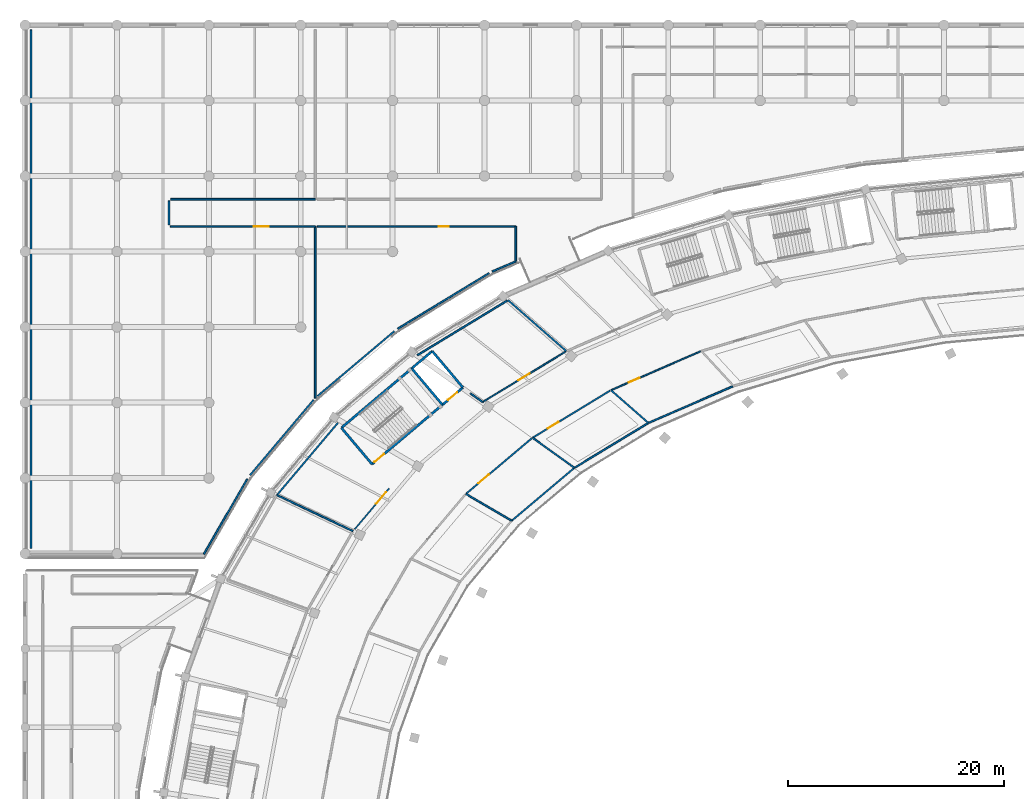
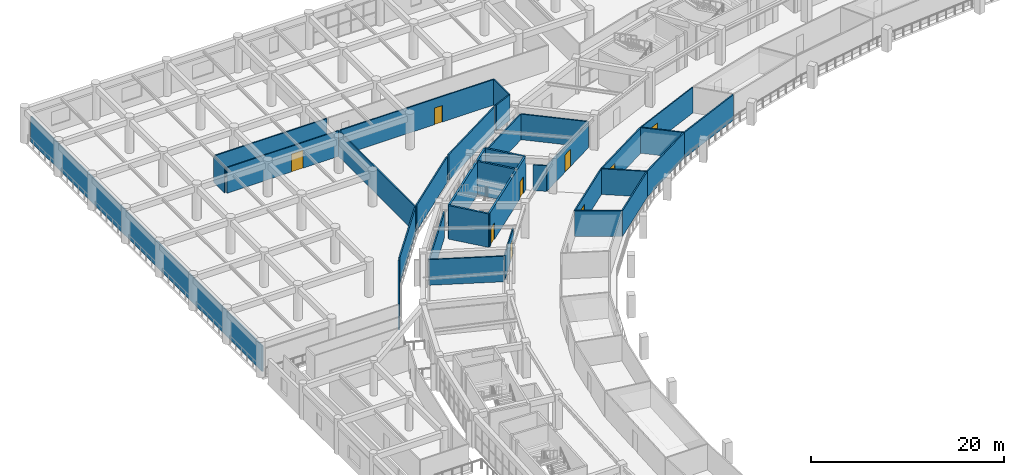
# One storey, part 103 of 141: 33 walls, 9 doors, 9 openings.
"""IFC4 building model written with IfcOpenShell, lengths in metres."""

from ifc_helpers import new_model, si_unit, direction, frame, frame_2d, origin, place, context, subcontext, project, spatial, rectangle, extrude, material, layer, layer_set, type_object, element, fill, save


model = new_model("IFC4")

# Units and contexts
model_context = context("Model", 3, precision=1e-05, world=origin(), true_north=direction((0.0, 1.0)))
body_context = subcontext(model_context, "Body", "Model", "MODEL_VIEW")
ifc_project = project(units=[si_unit("LENGTHUNIT", "METRE"), si_unit("AREAUNIT", "SQUARE_METRE"), si_unit("VOLUMEUNIT", "CUBIC_METRE"), si_unit("PLANEANGLEUNIT", "RADIAN"), si_unit("MASSUNIT", "GRAM", prefix="KILO")], contexts=[model_context])

# Site, building, storey
site_placement = place(None, origin())
site = spatial("IfcSite", under=ifc_project, at=site_placement, CompositionType="ELEMENT")
building_placement = place(site_placement, origin())
building = spatial("IfcBuilding", under=site, at=building_placement, Name="Mphavela Belvedere Stadium", CompositionType="ELEMENT")
storey_placement = place(building_placement, frame((0.0, 0.0, 14.699951171875)))
storey = spatial("IfcBuildingStorey", under=building, at=storey_placement, Name="L03", CompositionType="ELEMENT", Elevation=14.699951171875)

# Walls
ifc_material_1 = material(Name="Concrete C40/50", Category="concrete")
ifc_layer_1 = layer(ifc_material_1, 0.219970703125)
ifc_layer_set_1 = layer_set([ifc_layer_1], Name="Concrete C40/50")
wall_type_1 = type_object("IfcWallType", Name="WAL-CORE-SHEAR-220", PredefinedType="SHEAR", material=ifc_layer_set_1)
wall_1_placement = place(storey_placement, frame((29.318603515625, 136.666015625, 0.0), z_axis=(0.0, 0.0, 1.0), x_axis=(0.764247804305, 0.644922703598, 0.0)))
element("IfcWall", 1, at=wall_1_placement, inside=storey, type_object=wall_type_1, Name="Core C05 shear wall L03 rear", PredefinedType="SHEAR", context=body_context, shape_type="SweptSolid", body=[
    extrude(rectangle(XDim=11.019775390625, YDim=0.219970703125, at=frame_2d((5.509765625, 0.0))), origin(), (0.0, 0.0, 1.0), 4.25),
])
wall_2_placement = place(storey_placement, frame((32.16259765625, 133.295654296875, 0.0), z_axis=(0.0, 0.0, 1.0), x_axis=(-0.644904288042, 0.764263344185, 0.0)))
element("IfcWall", 2, at=wall_2_placement, inside=storey, type_object=wall_type_1, Name="Core C05 shear wall L03 left", PredefinedType="SHEAR", context=body_context, shape_type="SweptSolid", body=[
    extrude(rectangle(XDim=4.409912109375, YDim=0.219970703125, at=frame_2d((2.205078125, 0.0))), origin(), (0.0, 0.0, 1.0), 4.25),
])
wall_3_placement = place(storey_placement, frame((40.584716796875, 140.402587890625, 0.0), z_axis=(0.0, 0.0, 1.0), x_axis=(-0.644936622785, 0.764236058159, 0.0)))
element("IfcWall", 3, at=wall_3_placement, inside=storey, type_object=wall_type_1, Name="Core C05 shear wall L03 right", PredefinedType="SHEAR", context=body_context, shape_type="SweptSolid", body=[
    extrude(rectangle(XDim=4.41015625, YDim=0.219970703125, at=frame_2d((2.205078125, 0.0))), origin(), (0.0, 0.0, 1.0), 4.25),
])

# Wall, openings, doors
wall_4_placement = place(storey_placement, frame((32.16259765625, 133.295654296875, 0.0), z_axis=(0.0, 0.0, 1.0), x_axis=(0.764257018762, 0.644911784102, 0.0)))
wall_4 = element("IfcWall", 4, at=wall_4_placement, inside=storey, type_object=wall_type_1, Name="Core C05 shear wall L03 front", PredefinedType="SHEAR", context=body_context, shape_type="SweptSolid", body=[
    extrude(rectangle(XDim=11.02001953125, YDim=0.219970703125, at=frame_2d((5.510009765625, 0.0))), origin(), (0.0, 0.0, 1.0), 4.25),
])
opening_1_placement = place(wall_4_placement, frame((0.300048828125, 0.0, 0.0)))
opening_1 = element("IfcOpeningElement", 5, at=opening_1_placement, cuts=wall_4, Name="Opening SD-024", PredefinedType="OPENING", context=body_context, shape_type="SweptSolid", body=[
    extrude(rectangle(XDim=1.14990234375, YDim=2.14990234375, at=frame_2d((0.574951171875, 1.074951171875))), frame((0.0, 0.1201171875, 0.0), z_axis=(0.0, -1.0, 0.0), x_axis=(1.0, 0.0, 0.0)), (0.0, 0.0, 1.0), 0.239990234375),
])
opening_2_placement = place(wall_4_placement, frame((9.22998046875, 0.0, 0.0)))
opening_2 = element("IfcOpeningElement", 6, at=opening_2_placement, cuts=wall_4, Name="Opening LD-024", PredefinedType="OPENING", context=body_context, shape_type="SweptSolid", body=[
    extrude(rectangle(XDim=1.10009765625, YDim=2.14990234375, at=frame_2d((0.550048828125, 1.074951171875))), frame((0.0, 0.1201171875, 0.0), z_axis=(0.0, -1.0, 0.0), x_axis=(1.0, 0.0, 0.0)), (0.0, 0.0, 1.0), 0.239990234375),
])
ifc_material_2 = material(Name="Stainless steel center-parting lift landing door", Category="steel")
door_type_1 = type_object("IfcDoorType", Name="DR-LIFT-SLIDE-1100", OperationType="NOTDEFINED", PredefinedType="DOOR", material=ifc_material_2)
door_1_placement = place(opening_2_placement, origin())
door_1 = element("IfcDoor", 7, at=door_1_placement, inside=storey, type_object=door_type_1, Name="Lift landing sliding door PL02 L03", OperationType="DOUBLE_DOOR_SLIDING", OverallHeight=2.14990234375, OverallWidth=1.10009765625, PredefinedType="DOOR", context=body_context, shape_type="SweptSolid", body=[
    extrude(rectangle(XDim=1.10009765625, YDim=2.14990234375, at=frame_2d((0.550048828125, 1.074951171875))), frame((0.0, 0.02490234375, 0.0), z_axis=(0.0, -1.0, 0.0), x_axis=(1.0, 0.0, 0.0)), (0.0, 0.0, 1.0), 0.050048828125),
])
fill(opening_2, door_1)
ifc_material_3 = material(Name="Steel acoustic fire-resisting stair doorset", Category="steel")
door_type_2 = type_object("IfcDoorType", Name="DR-STAIR-FIRE-1150", OperationType="NOTDEFINED", PredefinedType="DOOR", material=ifc_material_3)
door_2_placement = place(opening_1_placement, origin())
door_2 = element("IfcDoor", 8, at=door_2_placement, inside=storey, type_object=door_type_2, Name="Escape stair fire door C05 L03", OperationType="SINGLE_SWING_RIGHT", OverallHeight=2.14990234375, OverallWidth=1.14990234375, PredefinedType="DOOR", context=body_context, shape_type="SweptSolid", body=[
    extrude(rectangle(XDim=1.14990234375, YDim=2.14990234375, at=frame_2d((0.574951171875, 1.074951171875))), frame((0.0, 0.02490234375, 0.0), z_axis=(0.0, -1.0, 0.0), x_axis=(1.0, 0.0, 0.0)), (0.0, 0.0, 1.0), 0.050048828125),
])
fill(opening_1, door_2)

# Wall
wall_5_placement = place(storey_placement, frame((38.689208984375, 138.80322265625, 0.0), z_axis=(0.0, 0.0, 1.0), x_axis=(-0.644904288042, 0.764263344185, 0.0)))
element("IfcWall", 9, at=wall_5_placement, inside=storey, type_object=wall_type_1, Name="Core C05 shear wall L03 div", PredefinedType="SHEAR", context=body_context, shape_type="SweptSolid", body=[
    extrude(rectangle(XDim=4.409912109375, YDim=0.219970703125, at=frame_2d((2.205078125, 0.0))), origin(), (0.0, 0.0, 1.0), 4.25),
])

# Wall, opening, door
ifc_material_4 = material(Name="Moisture-resistant sanitary partition assembly")
ifc_layer_2 = layer(ifc_material_4, 0.125)
ifc_layer_set_2 = layer_set([ifc_layer_2], Name="Moisture-resistant sanitary partition assembly")
wall_type_2 = type_object("IfcWallType", Name="WAL-PART-125", PredefinedType="PARTITIONING", material=ifc_layer_set_2)
wall_6_placement = place(storey_placement, frame((54.315185546875, 140.15380859375, 0.0), z_axis=(0.0, 0.0, 1.0), x_axis=(0.917494590455, 0.397748257677, 0.0)))
wall_6 = element("IfcWall", 10, at=wall_6_placement, inside=storey, type_object=wall_type_2, Name="Room L03-77 corridor partition", PredefinedType="PARTITIONING", context=body_context, shape_type="SweptSolid", body=[
    extrude(rectangle(XDim=9.04931640625, YDim=0.125, at=frame_2d((4.524658203125, 0.0))), origin(), (0.0, 0.0, 1.0), 3.25),
])
opening_3_placement = place(wall_6_placement, frame((1.781982421875, 0.0, 0.0)))
opening_3 = element("IfcOpeningElement", 11, at=opening_3_placement, cuts=wall_6, Name="Opening ID-270", PredefinedType="OPENING", context=body_context, shape_type="SweptSolid", body=[
    extrude(rectangle(XDim=1.10009765625, YDim=2.199951171875, at=frame_2d((0.550048828125, 1.10009765625))), frame((0.0, 0.072509765625, 0.0), z_axis=(0.0, -1.0, 0.0), x_axis=(1.0, 0.0, 0.0)), (0.0, 0.0, 1.0), 0.14501953125),
])
ifc_material_5 = material(Name="Hardwood acoustic timber doorset", Category="wood")
door_type_3 = type_object("IfcDoorType", Name="DR-INT-18", OperationType="NOTDEFINED", PredefinedType="DOOR", material=ifc_material_5)
door_3_placement = place(opening_3_placement, origin())
door_3 = element("IfcDoor", 12, at=door_3_placement, inside=storey, type_object=door_type_3, Name="Room L03-77 entrance door ID-270", OperationType="SINGLE_SWING_RIGHT", OverallHeight=2.199951171875, OverallWidth=1.10009765625, PredefinedType="DOOR", context=body_context, shape_type="SweptSolid", body=[
    extrude(rectangle(XDim=1.10009765625, YDim=2.199951171875, at=frame_2d((0.550048828125, 1.10009765625))), frame((0.0, 0.02490234375, 0.0), z_axis=(0.0, -1.0, 0.0), x_axis=(1.0, 0.0, 0.0)), (0.0, 0.0, 1.0), 0.050048828125),
])
fill(opening_3, door_3)

wall_7_placement = place(storey_placement, frame((50.10546875, 143.731201171875, 0.0), z_axis=(0.0, 0.0, 1.0), x_axis=(-0.854321649351, -0.519744667554, 0.0)))
wall_7 = element("IfcWall", 13, at=wall_7_placement, inside=storey, type_object=wall_type_2, Name="Room L03-81 corridor partition", PredefinedType="PARTITIONING", context=body_context, shape_type="SweptSolid", body=[
    extrude(rectangle(XDim=8.99853515625, YDim=0.125, at=frame_2d((4.499267578125, 0.0))), origin(), (0.0, 0.0, 1.0), 3.25),
])
opening_4_placement = place(wall_7_placement, frame((3.889404296875, 0.0, 0.0)))
opening_4 = element("IfcOpeningElement", 14, at=opening_4_placement, cuts=wall_7, Name="Opening ID-273", PredefinedType="OPENING", context=body_context, shape_type="SweptSolid", body=[
    extrude(rectangle(XDim=1.219970703125, YDim=2.199951171875, at=frame_2d((0.60986328125, 1.10009765625))), frame((0.0, 0.072509765625, 0.0), z_axis=(0.0, -1.0, 0.0), x_axis=(1.0, 0.0, 0.0)), (0.0, 0.0, 1.0), 0.14501953125),
])
ifc_material_6 = material(Name="Hardwood acoustic timber doorset", Category="wood")
door_type_4 = type_object("IfcDoorType", Name="DR-INT-21", OperationType="NOTDEFINED", PredefinedType="DOOR", material=ifc_material_6)
door_4_placement = place(opening_4_placement, origin())
door_4 = element("IfcDoor", 15, at=door_4_placement, inside=storey, type_object=door_type_4, Name="Room L03-81 entrance door ID-273", OperationType="SINGLE_SWING_LEFT", OverallHeight=2.199951171875, OverallWidth=1.219970703125, PredefinedType="DOOR", context=body_context, shape_type="SweptSolid", body=[
    extrude(rectangle(XDim=1.219970703125, YDim=2.199951171875, at=frame_2d((0.60986328125, 1.10009765625))), frame((0.0, 0.02490234375, 0.0), z_axis=(0.0, -1.0, 0.0), x_axis=(1.0, 0.0, 0.0)), (0.0, 0.0, 1.0), 0.050048828125),
])
fill(opening_4, door_4)

wall_8_placement = place(storey_placement, frame((33.747802734375, 131.044921875, 0.0), z_axis=(0.0, 0.0, 1.0), x_axis=(-0.645189146842, -0.764022882378, 0.0)))
wall_8 = element("IfcWall", 16, at=wall_8_placement, inside=storey, type_object=wall_type_2, Name="Room L03-86 corridor partition", PredefinedType="PARTITIONING", context=body_context, shape_type="SweptSolid", body=[
    extrude(rectangle(XDim=4.943115234375, YDim=0.125, at=frame_2d((2.4716796875, 0.0))), origin(), (0.0, 0.0, 1.0), 3.25),
])
opening_5_placement = place(wall_8_placement, frame((0.465087890625, 0.0, 0.0)))
opening_5 = element("IfcOpeningElement", 17, at=opening_5_placement, cuts=wall_8, Name="Opening ID-276", PredefinedType="OPENING", context=body_context, shape_type="SweptSolid", body=[
    extrude(rectangle(XDim=1.39990234375, YDim=2.199951171875, at=frame_2d((0.699951171875, 1.10009765625))), frame((0.0, 0.072509765625, 0.0), z_axis=(0.0, -1.0, 0.0), x_axis=(1.0, 0.0, 0.0)), (0.0, 0.0, 1.0), 0.14501953125),
])
ifc_material_7 = material(Name="Hardwood acoustic timber doorset", Category="wood")
door_type_5 = type_object("IfcDoorType", Name="DR-INT-24", OperationType="NOTDEFINED", PredefinedType="DOOR", material=ifc_material_7)
door_5_placement = place(opening_5_placement, origin())
door_5 = element("IfcDoor", 18, at=door_5_placement, inside=storey, type_object=door_type_5, Name="Room L03-86 entrance door ID-276", OperationType="SINGLE_SWING_RIGHT", OverallHeight=2.199951171875, OverallWidth=1.39990234375, PredefinedType="DOOR", context=body_context, shape_type="SweptSolid", body=[
    extrude(rectangle(XDim=1.39990234375, YDim=2.199951171875, at=frame_2d((0.699951171875, 1.10009765625))), frame((0.0, 0.02490234375, 0.0), z_axis=(0.0, -1.0, 0.0), x_axis=(1.0, 0.0, 0.0)), (0.0, 0.0, 1.0), 0.050048828125),
])
fill(opening_5, door_5)

wall_9_placement = place(storey_placement, frame((13.46875, 155.343017578125, 0.0), z_axis=(0.0, 0.0, 1.0), x_axis=(0.99999997621, -0.00021812629, 0.0)))
wall_9 = element("IfcWall", 19, at=wall_9_placement, inside=storey, type_object=wall_type_2, Name="Room L03-177 corridor partition", PredefinedType="PARTITIONING", context=body_context, shape_type="SweptSolid", body=[
    extrude(rectangle(XDim=13.43115234375, YDim=0.125, at=frame_2d((6.715576171875, 0.0))), origin(), (0.0, 0.0, 1.0), 3.25),
])
opening_6_placement = place(wall_9_placement, frame((7.724365234375, 0.0, 0.0)))
opening_6 = element("IfcOpeningElement", 20, at=opening_6_placement, cuts=wall_9, Name="Opening ID-468", PredefinedType="OPENING", context=body_context, shape_type="SweptSolid", body=[
    extrude(rectangle(XDim=1.39990234375, YDim=2.300048828125, at=frame_2d((0.699951171875, 1.14990234375))), frame((0.0, 0.072509765625, 0.0), z_axis=(0.0, -1.0, 0.0), x_axis=(1.0, 0.0, 0.0)), (0.0, 0.0, 1.0), 0.14501953125),
])
ifc_material_8 = material(Name="Hardwood acoustic timber doorset", Category="wood")
door_type_6 = type_object("IfcDoorType", Name="DR-INT-36", OperationType="NOTDEFINED", PredefinedType="DOOR", material=ifc_material_8)
door_6_placement = place(opening_6_placement, origin())
door_6 = element("IfcDoor", 21, at=door_6_placement, inside=storey, type_object=door_type_6, Name="Room L03-177 entrance door ID-468", OperationType="SINGLE_SWING_RIGHT", OverallHeight=2.300048828125, OverallWidth=1.39990234375, PredefinedType="DOOR", context=body_context, shape_type="SweptSolid", body=[
    extrude(rectangle(XDim=1.39990234375, YDim=2.300048828125, at=frame_2d((0.699951171875, 1.14990234375))), frame((0.0, 0.02490234375, 0.0), z_axis=(0.0, -1.0, 0.0), x_axis=(1.0, 0.0, 0.0)), (0.0, 0.0, 1.0), 0.050048828125),
])
fill(opening_6, door_6)

ifc_material_9 = material(Name="Acoustic gypsum stud partition assembly")
ifc_layer_3 = layer(ifc_material_9, 0.14990234375)
ifc_layer_set_3 = layer_set([ifc_layer_3], Name="Acoustic gypsum stud partition assembly")
wall_type_3 = type_object("IfcWallType", Name="WAL-PART-150", PredefinedType="PARTITIONING", material=ifc_layer_set_3)
wall_10_placement = place(storey_placement, frame((47.04345703125, 135.73974609375, 0.0), z_axis=(0.0, 0.0, 1.0), x_axis=(0.854330104408, 0.519730769439, 0.0)))
wall_10 = element("IfcWall", 22, at=wall_10_placement, inside=storey, type_object=wall_type_3, Name="Room L03-80 corridor partition", PredefinedType="PARTITIONING", context=body_context, shape_type="SweptSolid", body=[
    extrude(rectangle(XDim=8.420166015625, YDim=0.14990234375, at=frame_2d((4.2099609375, 0.0))), origin(), (0.0, 0.0, 1.0), 3.25),
])
opening_7_placement = place(wall_10_placement, frame((1.639892578125, 0.0, 0.0)))
opening_7 = element("IfcOpeningElement", 23, at=opening_7_placement, cuts=wall_10, Name="Opening ID-272", PredefinedType="OPENING", context=body_context, shape_type="SweptSolid", body=[
    extrude(rectangle(XDim=1.179931640625, YDim=2.199951171875, at=frame_2d((0.58984375, 1.10009765625))), frame((0.0, 0.0849609375, 0.0), z_axis=(0.0, -1.0, 0.0), x_axis=(1.0, 0.0, 0.0)), (0.0, 0.0, 1.0), 0.169921875),
])
ifc_material_10 = material(Name="Hardwood acoustic timber doorset", Category="wood")
door_type_7 = type_object("IfcDoorType", Name="DR-INT-20", OperationType="NOTDEFINED", PredefinedType="DOOR", material=ifc_material_10)
door_7_placement = place(opening_7_placement, origin())
door_7 = element("IfcDoor", 24, at=door_7_placement, inside=storey, type_object=door_type_7, Name="Room L03-80 entrance door ID-272", OperationType="SINGLE_SWING_RIGHT", OverallHeight=2.199951171875, OverallWidth=1.179931640625, PredefinedType="DOOR", context=body_context, shape_type="SweptSolid", body=[
    extrude(rectangle(XDim=1.179931640625, YDim=2.199951171875, at=frame_2d((0.58984375, 1.10009765625))), frame((0.0, 0.02490234375, 0.0), z_axis=(0.0, -1.0, 0.0), x_axis=(1.0, 0.0, 0.0)), (0.0, 0.0, 1.0), 0.050048828125),
])
fill(opening_7, door_7)

wall_11_placement = place(storey_placement, frame((40.866943359375, 130.539306640625, 0.0), z_axis=(0.0, 0.0, 1.0), x_axis=(0.764249122867, 0.644921141068, 0.0)))
wall_11 = element("IfcWall", 25, at=wall_11_placement, inside=storey, type_object=wall_type_3, Name="Room L03-83 corridor partition", PredefinedType="PARTITIONING", context=body_context, shape_type="SweptSolid", body=[
    extrude(rectangle(XDim=7.989501953125, YDim=0.14990234375, at=frame_2d((3.99462890625, 0.0))), origin(), (0.0, 0.0, 1.0), 3.25),
])
opening_8_placement = place(wall_11_placement, frame((1.537841796875, 0.0, 0.0)))
opening_8 = element("IfcOpeningElement", 26, at=opening_8_placement, cuts=wall_11, Name="Opening ID-274", PredefinedType="OPENING", context=body_context, shape_type="SweptSolid", body=[
    extrude(rectangle(XDim=1.260009765625, YDim=2.199951171875, at=frame_2d((0.6298828125, 1.10009765625))), frame((0.0, 0.0849609375, 0.0), z_axis=(0.0, -1.0, 0.0), x_axis=(1.0, 0.0, 0.0)), (0.0, 0.0, 1.0), 0.169921875),
])
ifc_material_11 = material(Name="Hardwood acoustic timber doorset", Category="wood")
door_type_8 = type_object("IfcDoorType", Name="DR-INT-22", OperationType="NOTDEFINED", PredefinedType="DOOR", material=ifc_material_11)
door_8_placement = place(opening_8_placement, origin())
door_8 = element("IfcDoor", 27, at=door_8_placement, inside=storey, type_object=door_type_8, Name="Room L03-83 entrance door ID-274", OperationType="SINGLE_SWING_RIGHT", OverallHeight=2.199951171875, OverallWidth=1.260009765625, PredefinedType="DOOR", context=body_context, shape_type="SweptSolid", body=[
    extrude(rectangle(XDim=1.260009765625, YDim=2.199951171875, at=frame_2d((0.6298828125, 1.10009765625))), frame((0.0, 0.02490234375, 0.0), z_axis=(0.0, -1.0, 0.0), x_axis=(1.0, 0.0, 0.0)), (0.0, 0.0, 1.0), 0.050048828125),
])
fill(opening_8, door_8)

wall_12_placement = place(storey_placement, frame((27.10009765625, 155.340087890625, 0.0), z_axis=(0.0, 0.0, 1.0), x_axis=(1.0, 0.0, 0.0)))
wall_12 = element("IfcWall", 28, at=wall_12_placement, inside=storey, type_object=wall_type_3, Name="Room L03-179 corridor partition", PredefinedType="PARTITIONING", context=body_context, shape_type="SweptSolid", body=[
    extrude(rectangle(XDim=18.389892578125, YDim=0.14990234375, at=frame_2d((9.19482421875, 0.0))), origin(), (0.0, 0.0, 1.0), 3.25),
])
opening_9_placement = place(wall_12_placement, frame((11.24658203125, 0.0, 0.0)))
opening_9 = element("IfcOpeningElement", 29, at=opening_9_placement, cuts=wall_12, Name="Opening ID-470", PredefinedType="OPENING", context=body_context, shape_type="SweptSolid", body=[
    extrude(rectangle(XDim=0.93994140625, YDim=2.10009765625, at=frame_2d((0.469970703125, 1.050048828125))), frame((0.0, 0.0849609375, 0.0), z_axis=(0.0, -1.0, 0.0), x_axis=(1.0, 0.0, 0.0)), (0.0, 0.0, 1.0), 0.169921875),
])
ifc_material_12 = material(Name="Hardwood acoustic timber doorset", Category="wood")
door_type_9 = type_object("IfcDoorType", Name="DR-INT-02", OperationType="NOTDEFINED", PredefinedType="DOOR", material=ifc_material_12)
door_9_placement = place(opening_9_placement, origin())
door_9 = element("IfcDoor", 30, at=door_9_placement, inside=storey, type_object=door_type_9, Name="Room L03-179 entrance door ID-470", OperationType="SINGLE_SWING_RIGHT", OverallHeight=2.10009765625, OverallWidth=0.93994140625, PredefinedType="DOOR", context=body_context, shape_type="SweptSolid", body=[
    extrude(rectangle(XDim=0.93994140625, YDim=2.10009765625, at=frame_2d((0.469970703125, 1.050048828125))), frame((0.0, 0.02490234375, 0.0), z_axis=(0.0, -1.0, 0.0), x_axis=(1.0, 0.0, 0.0)), (0.0, 0.0, 1.0), 0.050048828125),
])
fill(opening_9, door_9)

# Walls
wall_13_placement = place(storey_placement, frame((65.607421875, 140.5107421875, 0.0), z_axis=(0.0, 0.0, 1.0), x_axis=(-0.917503740796, -0.397727149722, 0.0)))
element("IfcWall", 31, at=wall_13_placement, inside=storey, type_object=wall_type_3, Name="Room divider partition L03-0486", PredefinedType="PARTITIONING", context=body_context, shape_type="SweptSolid", body=[
    extrude(rectangle(XDim=8.52734375, YDim=0.14990234375, at=frame_2d((4.263671875, 0.0))), origin(), (0.0, 0.0, 1.0), 3.25),
])
wall_14_placement = place(storey_placement, frame((57.783447265625, 137.119140625, 0.0), z_axis=(0.0, 0.0, 1.0), x_axis=(-0.752583258122, 0.658497106747, 0.0)))
element("IfcWall", 32, at=wall_14_placement, inside=storey, type_object=wall_type_3, Name="Room divider partition L03-0487", PredefinedType="PARTITIONING", context=body_context, shape_type="SweptSolid", body=[
    extrude(rectangle(XDim=4.6083984375, YDim=0.14990234375, at=frame_2d((2.30419921875, 0.0))), origin(), (0.0, 0.0, 1.0), 3.25),
])
wall_15_placement = place(storey_placement, frame((50.18017578125, 143.772216796875, 0.0), z_axis=(0.0, 0.0, 1.0), x_axis=(-0.752576694707, 0.658504607869, 0.0)))
element("IfcWall", 33, at=wall_15_placement, inside=storey, type_object=wall_type_3, Name="Room divider partition L03-0488", PredefinedType="PARTITIONING", context=body_context, shape_type="SweptSolid", body=[
    extrude(rectangle(XDim=7.178466796875, YDim=0.14990234375, at=frame_2d((3.58935546875, 0.0))), origin(), (0.0, 0.0, 1.0), 3.25),
])
wall_16_placement = place(storey_placement, frame((57.708740234375, 137.078125, 0.0), z_axis=(0.0, 0.0, 1.0), x_axis=(-0.854324504961, -0.519739973663, 0.0)))
element("IfcWall", 34, at=wall_16_placement, inside=storey, type_object=wall_type_3, Name="Room divider partition L03-0489", PredefinedType="PARTITIONING", context=body_context, shape_type="SweptSolid", body=[
    extrude(rectangle(XDim=7.933837890625, YDim=0.14990234375, at=frame_2d((3.966796875, 0.0))), origin(), (0.0, 0.0, 1.0), 3.25),
])
wall_17_placement = place(storey_placement, frame((50.9306640625, 132.95458984375, 0.0), z_axis=(0.0, 0.0, 1.0), x_axis=(-0.812884001359, 0.582425617856, 0.0)))
element("IfcWall", 35, at=wall_17_placement, inside=storey, type_object=wall_type_3, Name="Room divider partition L03-0490", PredefinedType="PARTITIONING", context=body_context, shape_type="SweptSolid", body=[
    extrude(rectangle(XDim=4.781982421875, YDim=0.14990234375, at=frame_2d((2.39111328125, 0.0))), origin(), (0.0, 0.0, 1.0), 3.25),
])
wall_18_placement = place(storey_placement, frame((36.364990234375, 143.390869140625, 0.0), z_axis=(0.0, 0.0, 1.0), x_axis=(0.854323689683, 0.519741313777, 0.0)))
element("IfcWall", 36, at=wall_18_placement, inside=storey, type_object=wall_type_3, Name="Room divider partition L03-0491", PredefinedType="PARTITIONING", context=body_context, shape_type="SweptSolid", body=[
    extrude(rectangle(XDim=9.755859375, YDim=0.14990234375, at=frame_2d((4.8779296875, 0.0))), origin(), (0.0, 0.0, 1.0), 3.25),
])
wall_19_placement = place(storey_placement, frame((42.417724609375, 139.05419921875, 0.0), z_axis=(0.0, 0.0, 1.0), x_axis=(-0.812925279681, 0.582368001916, 0.0)))
element("IfcWall", 37, at=wall_19_placement, inside=storey, type_object=wall_type_3, Name="Room divider partition L03-0492", PredefinedType="PARTITIONING", context=body_context, shape_type="SweptSolid", body=[
    extrude(rectangle(XDim=1.389404296875, YDim=0.14990234375, at=frame_2d((0.69482421875, 0.0))), origin(), (0.0, 0.0, 1.0), 3.25),
])
wall_20_placement = place(storey_placement, frame((50.86376953125, 132.904052734375, 0.0), z_axis=(0.0, 0.0, 1.0), x_axis=(-0.764259013583, -0.644909420118, 0.0)))
element("IfcWall", 38, at=wall_20_placement, inside=storey, type_object=wall_type_3, Name="Room divider partition L03-0493", PredefinedType="PARTITIONING", context=body_context, shape_type="SweptSolid", body=[
    extrude(rectangle(XDim=7.52783203125, YDim=0.14990234375, at=frame_2d((3.763916015625, 0.0))), origin(), (0.0, 0.0, 1.0), 3.25),
])
wall_21_placement = place(storey_placement, frame((45.110595703125, 128.04931640625, 0.0), z_axis=(0.0, 0.0, 1.0), x_axis=(-0.862491119601, 0.506072197032, 0.0)))
element("IfcWall", 39, at=wall_21_placement, inside=storey, type_object=wall_type_3, Name="Room divider partition L03-0494", PredefinedType="PARTITIONING", context=body_context, shape_type="SweptSolid", body=[
    extrude(rectangle(XDim=4.920166015625, YDim=0.14990234375, at=frame_2d((2.4599609375, 0.0))), origin(), (0.0, 0.0, 1.0), 3.25),
])
wall_22_placement = place(storey_placement, frame((30.40478515625, 127.0859375, 0.0), z_axis=(0.0, 0.0, 1.0), x_axis=(-0.903857436248, 0.427833770218, 0.0)))
element("IfcWall", 40, at=wall_22_placement, inside=storey, type_object=wall_type_3, Name="Room divider partition L03-0497", PredefinedType="PARTITIONING", context=body_context, shape_type="SweptSolid", body=[
    extrude(rectangle(XDim=7.81201171875, YDim=0.14990234375, at=frame_2d((3.906005859375, 0.0))), origin(), (0.0, 0.0, 1.0), 3.25),
])
wall_23_placement = place(storey_placement, frame((23.34375, 130.42822265625, 0.0), z_axis=(0.0, 0.0, 1.0), x_axis=(0.645169991826, 0.764039057671, 0.0)))
element("IfcWall", 41, at=wall_23_placement, inside=storey, type_object=wall_type_3, Name="Room divider partition L03-0498", PredefinedType="PARTITIONING", context=body_context, shape_type="SweptSolid", body=[
    extrude(rectangle(XDim=8.776123046875, YDim=0.14990234375, at=frame_2d((4.38818359375, 0.0))), origin(), (0.0, 0.0, 1.0), 3.25),
])
wall_24_placement = place(storey_placement, frame((13.340087890625, 157.699951171875, 0.0), z_axis=(0.0, 0.0, 1.0), x_axis=(0.000330578494, -0.999999945359, 0.0)))
element("IfcWall", 42, at=wall_24_placement, inside=storey, type_object=wall_type_3, Name="Room divider partition L03-1038", PredefinedType="PARTITIONING", context=body_context, shape_type="SweptSolid", body=[
    extrude(rectangle(XDim=2.215576171875, YDim=0.14990234375, at=frame_2d((1.10791015625, 0.0))), origin(), (0.0, 0.0, 1.0), 3.25),
])
wall_25_placement = place(storey_placement, frame((26.89990234375, 155.340087890625, 0.0), z_axis=(0.0, 0.0, 1.0), x_axis=(0.0, -1.0, 0.0)))
element("IfcWall", 43, at=wall_25_placement, inside=storey, type_object=wall_type_3, Name="Room divider partition L03-1039", PredefinedType="PARTITIONING", context=body_context, shape_type="SweptSolid", body=[
    extrude(rectangle(XDim=15.9130859375, YDim=0.14990234375, at=frame_2d((7.95654296875, 0.0))), origin(), (0.0, 0.0, 1.0), 3.25),
])
wall_26_placement = place(storey_placement, frame((26.751708984375, 139.266357421875, 0.0), z_axis=(0.0, 0.0, 1.0), x_axis=(-0.645180125691, -0.764030500316, 0.0)))
element("IfcWall", 44, at=wall_26_placement, inside=storey, type_object=wall_type_3, Name="Room divider partition L03-1040", PredefinedType="PARTITIONING", context=body_context, shape_type="SweptSolid", body=[
    extrude(rectangle(XDim=9.1513671875, YDim=0.14990234375, at=frame_2d((4.57568359375, 0.0))), origin(), (0.0, 0.0, 1.0), 3.25),
])
wall_27_placement = place(storey_placement, frame((20.59326171875, 131.912841796875, 0.0), z_axis=(0.0, 0.0, 1.0), x_axis=(-0.500545605998, -0.865710168773, 0.0)))
element("IfcWall", 45, at=wall_27_placement, inside=storey, type_object=wall_type_3, Name="Room divider partition L03-1041", PredefinedType="PARTITIONING", context=body_context, shape_type="SweptSolid", body=[
    extrude(rectangle(XDim=8.04296875, YDim=0.14990234375, at=frame_2d((4.021484375, 0.0))), origin(), (0.0, 0.0, 1.0), 3.25),
])
wall_28_placement = place(storey_placement, frame((0.550048828125, 125.5, 0.0), z_axis=(0.0, 0.0, 1.0), x_axis=(0.0, 1.0, 0.0)))
element("IfcWall", 46, at=wall_28_placement, inside=storey, type_object=wall_type_3, Name="Room divider partition L03-1043", PredefinedType="PARTITIONING", context=body_context, shape_type="SweptSolid", body=[
    extrude(rectangle(XDim=48.050048828125, YDim=0.14990234375, at=frame_2d((24.02490234375, 0.0))), origin(), (0.0, 0.0, 1.0), 3.25),
])
wall_29_placement = place(storey_placement, frame((26.89990234375, 157.860107421875, 0.0), z_axis=(0.0, 0.0, 1.0), x_axis=(-1.0, 0.0, 0.0)))
element("IfcWall", 47, at=wall_29_placement, inside=storey, type_object=wall_type_3, Name="Room divider partition L03-1045", PredefinedType="PARTITIONING", context=body_context, shape_type="SweptSolid", body=[
    extrude(rectangle(XDim=13.39990234375, YDim=0.14990234375, at=frame_2d((6.699951171875, 0.0))), origin(), (0.0, 0.0, 1.0), 3.25),
])
wall_30_placement = place(storey_placement, frame((45.489990234375, 155.340087890625, 0.0), z_axis=(0.0, 0.0, 1.0), x_axis=(0.0, -1.0, 0.0)))
element("IfcWall", 48, at=wall_30_placement, inside=storey, type_object=wall_type_3, Name="Room divider partition L03-1047", PredefinedType="PARTITIONING", context=body_context, shape_type="SweptSolid", body=[
    extrude(rectangle(XDim=3.240234375, YDim=0.14990234375, at=frame_2d((1.6201171875, 0.0))), origin(), (0.0, 0.0, 1.0), 3.25),
])
wall_31_placement = place(storey_placement, frame((45.489990234375, 152.099853515625, 0.0), z_axis=(0.0, 0.0, 1.0), x_axis=(-0.917484400903, -0.397771761314, 0.0)))
element("IfcWall", 49, at=wall_31_placement, inside=storey, type_object=wall_type_3, Name="Room divider partition L03-1048", PredefinedType="PARTITIONING", context=body_context, shape_type="SweptSolid", body=[
    extrude(rectangle(XDim=2.37646484375, YDim=0.14990234375, at=frame_2d((1.188232421875, 0.0))), origin(), (0.0, 0.0, 1.0), 3.25),
])
wall_32_placement = place(storey_placement, frame((43.00439453125, 150.99658203125, 0.0), z_axis=(0.0, 0.0, 1.0), x_axis=(-0.854333268174, -0.519725568826, 0.0)))
element("IfcWall", 50, at=wall_32_placement, inside=storey, type_object=wall_type_3, Name="Room divider partition L03-1049", PredefinedType="PARTITIONING", context=body_context, shape_type="SweptSolid", body=[
    extrude(rectangle(XDim=9.90185546875, YDim=0.14990234375, at=frame_2d((4.950927734375, 0.0))), origin(), (0.0, 0.0, 1.0), 3.25),
])
wall_33_placement = place(storey_placement, frame((34.232177734375, 145.625244140625, 0.0), z_axis=(0.0, 0.0, 1.0), x_axis=(-0.764245949545, -0.644924901523, 0.0)))
element("IfcWall", 51, at=wall_33_placement, inside=storey, type_object=wall_type_3, Name="Room divider partition L03-1050", PredefinedType="PARTITIONING", context=body_context, shape_type="SweptSolid", body=[
    extrude(rectangle(XDim=9.332275390625, YDim=0.14990234375, at=frame_2d((4.666015625, 0.0))), origin(), (0.0, 0.0, 1.0), 3.25),
])

save(model, "model.ifc")
